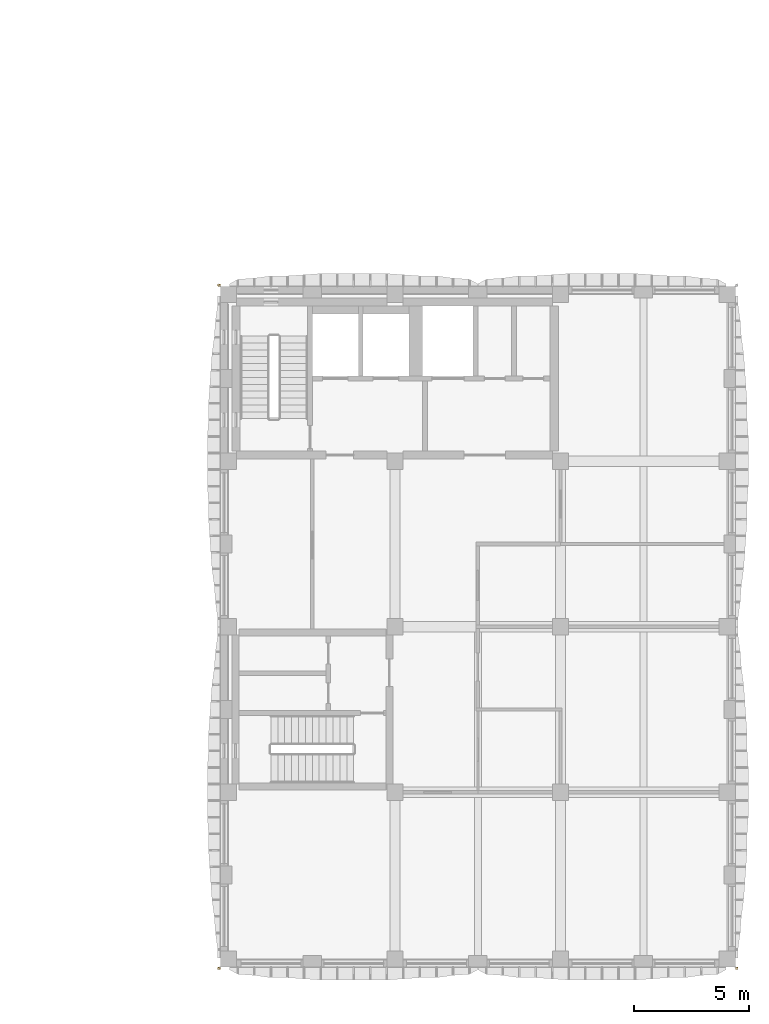
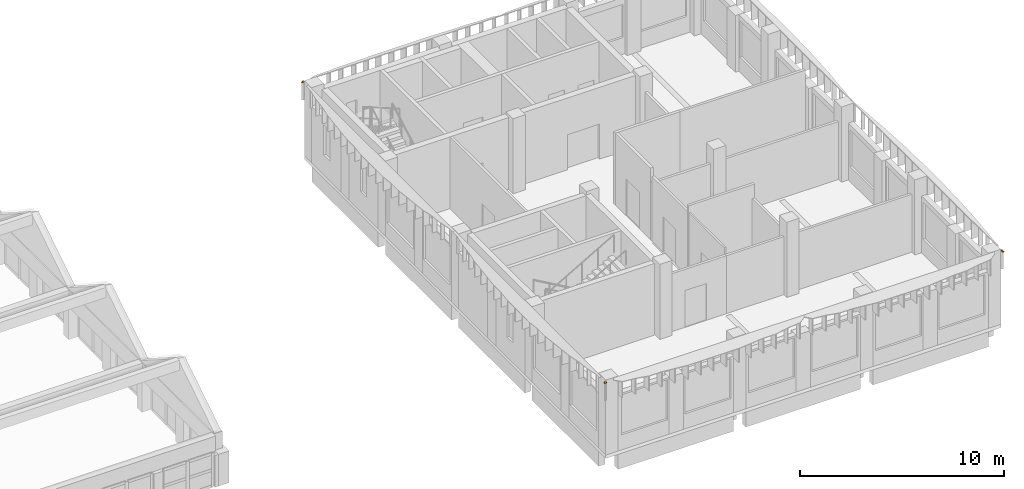
# One storey, part 35 of 38: 3 shading devices.
"""IFC4 building model written with IfcOpenShell, lengths in metres."""

from ifc_helpers import new_model, si_unit, direction, frame, origin, place, context, subcontext, project, spatial, polyline, outline, extrude, material, layer, layer_set, type_object, element, save


model = new_model("IFC4")

# Units and contexts
model_context = context("Model", 3, precision=1e-05, world=origin(), true_north=direction((0.0, 1.0)))
body_context = subcontext(model_context, "Body", "Model", "MODEL_VIEW")
ifc_project = project(units=[si_unit("LENGTHUNIT", "METRE"), si_unit("AREAUNIT", "SQUARE_METRE"), si_unit("VOLUMEUNIT", "CUBIC_METRE"), si_unit("PLANEANGLEUNIT", "RADIAN"), si_unit("MASSUNIT", "GRAM", prefix="KILO")], contexts=[model_context])

# Site, building, storey
site_placement = place(None, origin())
site = spatial("IfcSite", under=ifc_project, at=site_placement, CompositionType="ELEMENT")
building_placement = place(site_placement, origin())
building = spatial("IfcBuilding", under=site, at=building_placement, Name="Ussher Court Research Institute", CompositionType="ELEMENT")
storey_placement = place(building_placement, frame((0.0, 0.0, 23.39990234375)))
storey = spatial("IfcBuildingStorey", under=building, at=storey_placement, Name="L05", CompositionType="ELEMENT", Elevation=23.39990234375)

# Shading devices
ifc_material = material(Name="Bronze anodised aluminium", Category="aluminium")
ifc_layer = layer(ifc_material, 0.0400390625)
ifc_layer_set = layer_set([ifc_layer], Name="Bronze anodised aluminium")
shading_device_type = type_object("IfcShadingDeviceType", Name="Brim visor sheet 40 mm canted 26 deg wet", PredefinedType="USERDEFINED", material=ifc_layer_set)
for number, where, z_axis, x_axis, name in (
    (1, (104.216064453125, 3.583984375, 4.48291015625), (0.400847757571, -0.400847757571, 0.823797396512), (-0.000362285341, -0.899269394429, -0.437395044544), "Brim visor sheet BR1 L05"),
    (2, (81.783935546875, 3.583984375, 4.48291015625), (-0.400847757571, -0.400847757571, 0.823797396512), (-0.899269394429, 0.000362285341, -0.437395044544), "Brim visor sheet BR1 L05"),
    (3, (81.783935546875, 33.216064453125, 4.48291015625), (-0.400847757571, 0.400847757571, 0.823797396512), (0.000362285341, 0.899269394429, -0.437395044544), "Brim visor sheet BR1 L05"),
):
    element("IfcShadingDevice", number, at=place(storey_placement, frame(where, z_axis=z_axis, x_axis=x_axis)), inside=storey, type_object=shading_device_type, Name=name, ObjectType="BRIM", PredefinedType="USERDEFINED", context=body_context, shape_type="SweptSolid", body=[
        extrude(outline(polyline([(0.0, 0.0), (0.11126515272958254, 0.0), (0.13258606872546647, 0.10931209908468126), (0.021214130096336967, 0.10922405822982874), (0.0, 0.0)])), origin(), (0.0, 0.0, -1.0), 0.0400390625),
    ])

save(model, "model.ifc")
